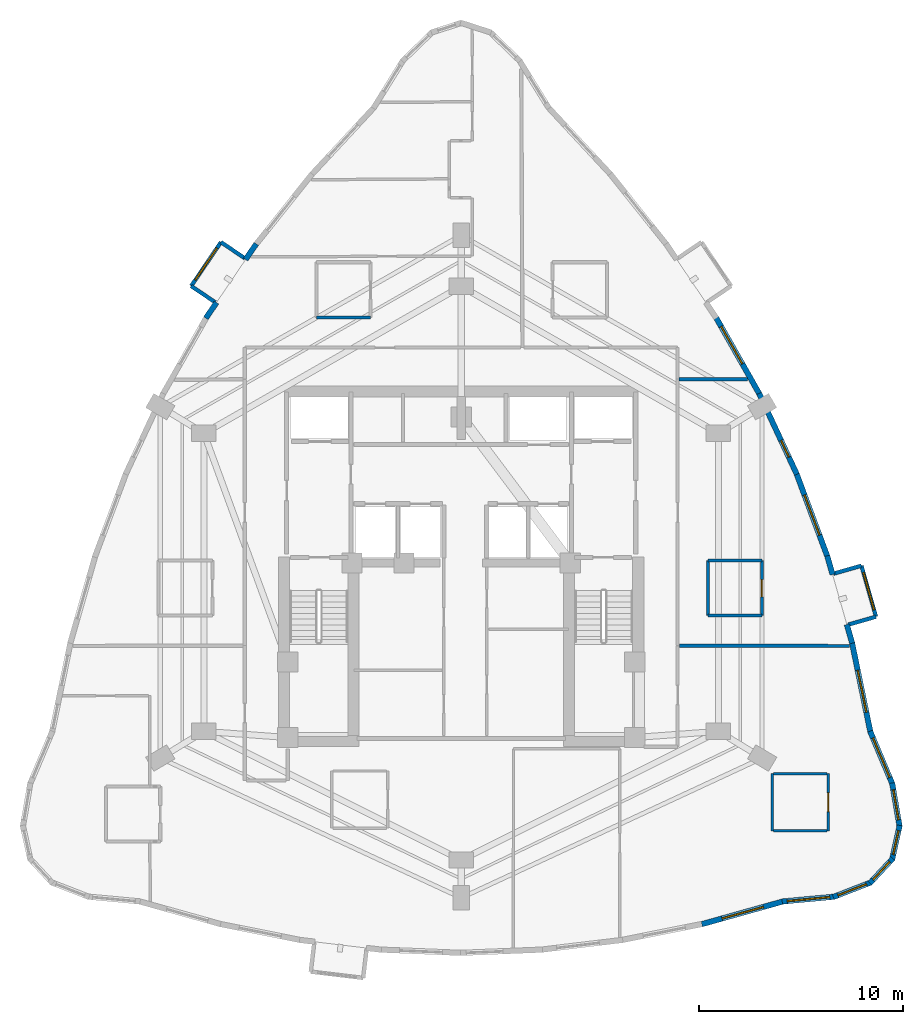
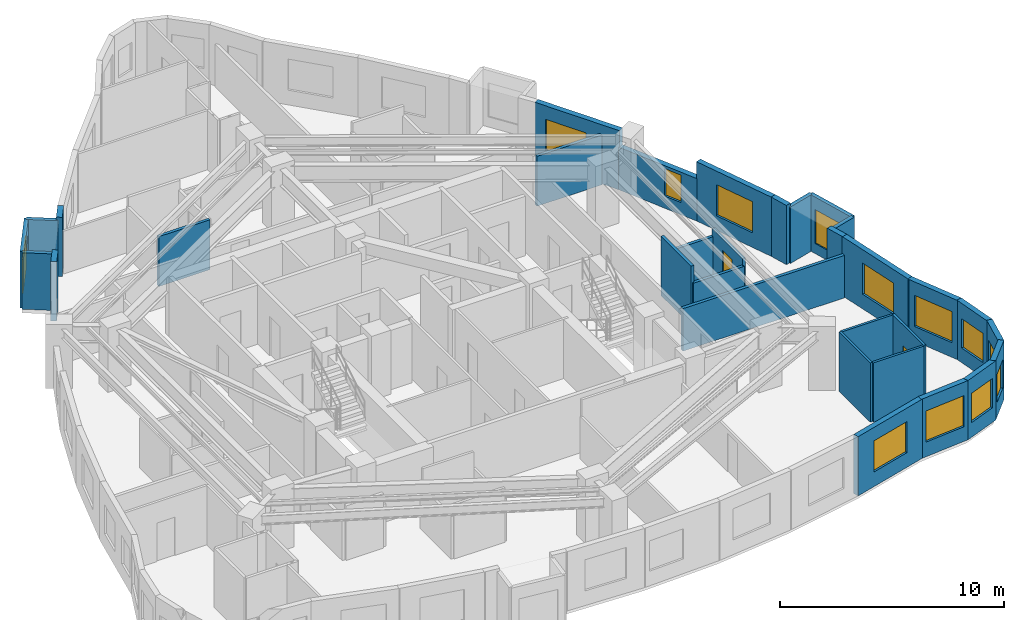
# One storey, part 8 of 11: 32 walls, 13 windows, 2 doors, 15 openings.
"""IFC4 building model written with IfcOpenShell, lengths in metres."""

from ifc_helpers import new_model, si_unit, direction, frame, frame_2d, origin, place, context, subcontext, project, spatial, rectangle, extrude, material, layer, layer_set, type_object, element, fill, save


model = new_model("IFC4")

# Units and contexts
model_context = context("Model", 3, precision=1e-05, world=origin(), true_north=direction((0.0, 1.0)))
body_context = subcontext(model_context, "Body", "Model", "MODEL_VIEW")
ifc_project = project(units=[si_unit("LENGTHUNIT", "METRE"), si_unit("AREAUNIT", "SQUARE_METRE"), si_unit("VOLUMEUNIT", "CUBIC_METRE"), si_unit("PLANEANGLEUNIT", "RADIAN"), si_unit("MASSUNIT", "GRAM", prefix="KILO")], contexts=[model_context])

# Site, building, storey
site_placement = place(None, origin())
site = spatial("IfcSite", under=ifc_project, at=site_placement, CompositionType="ELEMENT")
building_placement = place(site_placement, origin())
building = spatial("IfcBuilding", under=site, at=building_placement, Name="Miruveldt Soraemaru", CompositionType="ELEMENT")
storey_placement = place(building_placement, frame((0.0, 0.0, 152.89990234375)))
storey = spatial("IfcBuildingStorey", under=building, at=storey_placement, Name="L42", CompositionType="ELEMENT", Elevation=152.89990234375)

# Walls
ifc_material_1 = material(Name="White powder-coated aluminium EN AW-6060 T6", Category="aluminium")
ifc_layer_1 = layer(ifc_material_1, 0.18994140625, Name="White powder-coated aluminium EN AW-6060 T6", Category="aluminium")
ifc_layer_set_1 = layer_set([ifc_layer_1], Name="White powder-coated aluminium EN AW-6060 T6")
wall_type_1 = type_object("IfcWallType", Name="WALL-BAY-ALU190", PredefinedType="SOLIDWALL", material=ifc_layer_set_1)
wall_1_placement = place(storey_placement, frame((33.4111328125, 58.968505859375, 0.0), z_axis=(0.0, 0.0, 1.0), x_axis=(-0.82794178844, 0.560814046681, 0.0)))
element("IfcWall", 1, at=wall_1_placement, inside=storey, type_object=wall_type_1, Name="L42 Bay Window Side Cheek 4L", PredefinedType="SOLIDWALL", context=body_context, shape_type="SweptSolid", body=[
    extrude(rectangle(XDim=1.4248046875, YDim=0.18994140625, at=frame_2d((0.71240234375, 0.0))), origin(), (0.0, 0.0, 1.0), 3.085205078125),
])
wall_2_placement = place(storey_placement, frame((30.773193359375, 57.614990234375, 0.0), z_axis=(0.0, 0.0, 1.0), x_axis=(0.827995667279, -0.560734495966, 0.0)))
element("IfcWall", 2, at=wall_2_placement, inside=storey, type_object=wall_type_1, Name="L42 Bay Window Side Cheek 4R", PredefinedType="SOLIDWALL", context=body_context, shape_type="SweptSolid", body=[
    extrude(rectangle(XDim=1.425048828125, YDim=0.18994140625, at=frame_2d((0.71240234375, 0.0))), origin(), (0.0, 0.0, 1.0), 3.085205078125),
])

# Wall, opening, window
wall_3_placement = place(storey_placement, frame((32.2314453125, 59.767578125, 0.0), z_axis=(0.0, 0.0, 1.0), x_axis=(-0.560860602504, -0.827910251512, 0.0)))
wall_3 = element("IfcWall", 3, at=wall_3_placement, inside=storey, type_object=wall_type_1, Name="L42 Bay Window Front Frame 4", PredefinedType="SOLIDWALL", context=body_context, shape_type="SweptSolid", body=[
    extrude(rectangle(XDim=2.60009765625, YDim=0.18994140625, at=frame_2d((1.300048828125, 0.0))), origin(), (0.0, 0.0, 1.0), 3.085205078125),
])
opening_1_placement = place(wall_3_placement, frame((0.35009765625, 0.0, 0.550048828125)))
opening_1 = element("IfcOpeningElement", 4, at=opening_1_placement, cuts=wall_3, Name="Opening WN-6", PredefinedType="OPENING", context=body_context, shape_type="SweptSolid", body=[
    extrude(rectangle(XDim=1.89990234375, YDim=1.85009765625, at=frame_2d((0.949951171875, 0.925048828125))), frame((0.0, 0.10498046875, 0.0), z_axis=(0.0, -1.0, 0.0), x_axis=(1.0, 0.0, 0.0)), (0.0, 0.0, 1.0), 0.2099609375),
])
ifc_material_2 = material(Name="Triple low-e insulated glazing", Category="glass")
window_type_1 = type_object("IfcWindowType", Name="WIN-BAYW-1900x1850", PartitioningType="SINGLE_PANEL", PredefinedType="WINDOW", material=ifc_material_2)
window_1_placement = place(opening_1_placement, origin())
window_1 = element("IfcWindow", 5, at=window_1_placement, inside=storey, type_object=window_type_1, Name="L42 Projecting Bay Window 4", OverallHeight=1.85009765625, OverallWidth=1.89990234375, PartitioningType="SINGLE_PANEL", PredefinedType="WINDOW", context=body_context, shape_type="SweptSolid", body=[
    extrude(rectangle(XDim=1.89990234375, YDim=1.85009765625, at=frame_2d((0.949951171875, 0.925048828125))), frame((0.0, 0.030029296875, 0.0), z_axis=(0.0, -1.0, 0.0), x_axis=(1.0, 0.0, 0.0)), (0.0, 0.0, 1.0), 0.06005859375),
])
fill(opening_1, window_1)

# Walls
wall_4_placement = place(storey_placement, frame((62.950927734375, 41.025634765625, 0.0), z_axis=(0.0, 0.0, 1.0), x_axis=(0.961452801096, 0.274970018845, 0.0)))
element("IfcWall", 6, at=wall_4_placement, inside=storey, type_object=wall_type_1, Name="L42 Bay Window Side Cheek 2L", PredefinedType="SOLIDWALL", context=body_context, shape_type="SweptSolid", body=[
    extrude(rectangle(XDim=1.425048828125, YDim=0.18994140625, at=frame_2d((0.71240234375, 0.0))), origin(), (0.0, 0.0, 1.0), 3.085205078125),
])
wall_5_placement = place(storey_placement, frame((63.60595703125, 43.917236328125, 0.0), z_axis=(0.0, 0.0, 1.0), x_axis=(-0.961439844578, -0.275015318223, 0.0)))
element("IfcWall", 7, at=wall_5_placement, inside=storey, type_object=wall_type_1, Name="L42 Bay Window Side Cheek 2R", PredefinedType="SOLIDWALL", context=body_context, shape_type="SweptSolid", body=[
    extrude(rectangle(XDim=1.4248046875, YDim=0.18994140625, at=frame_2d((0.71240234375, 0.0))), origin(), (0.0, 0.0, 1.0), 3.085205078125),
])

# Wall, opening, window
wall_6_placement = place(storey_placement, frame((64.321044921875, 41.41748046875, 0.0), z_axis=(0.0, 0.0, 1.0), x_axis=(-0.275031158597, 0.961435313373, 0.0)))
wall_6 = element("IfcWall", 8, at=wall_6_placement, inside=storey, type_object=wall_type_1, Name="L42 Bay Window Front Frame 2", PredefinedType="SOLIDWALL", context=body_context, shape_type="SweptSolid", body=[
    extrude(rectangle(XDim=2.60009765625, YDim=0.18994140625, at=frame_2d((1.300048828125, 0.0))), origin(), (0.0, 0.0, 1.0), 3.085205078125),
])
opening_2_placement = place(wall_6_placement, frame((0.35009765625, 0.0, 0.550048828125)))
opening_2 = element("IfcOpeningElement", 9, at=opening_2_placement, cuts=wall_6, Name="Opening WN-6", PredefinedType="OPENING", context=body_context, shape_type="SweptSolid", body=[
    extrude(rectangle(XDim=1.89990234375, YDim=1.85009765625, at=frame_2d((0.949951171875, 0.925048828125))), frame((0.0, 0.10498046875, 0.0), z_axis=(0.0, -1.0, 0.0), x_axis=(1.0, 0.0, 0.0)), (0.0, 0.0, 1.0), 0.2099609375),
])
window_2_placement = place(opening_2_placement, origin())
window_2 = element("IfcWindow", 10, at=window_2_placement, inside=storey, type_object=window_type_1, Name="L42 Projecting Bay Window 2", OverallHeight=1.85009765625, OverallWidth=1.89990234375, PartitioningType="SINGLE_PANEL", PredefinedType="WINDOW", context=body_context, shape_type="SweptSolid", body=[
    extrude(rectangle(XDim=1.89990234375, YDim=1.85009765625, at=frame_2d((0.949951171875, 0.925048828125))), frame((0.0, 0.030029296875, 0.0), z_axis=(0.0, -1.0, 0.0), x_axis=(1.0, 0.0, 0.0)), (0.0, 0.0, 1.0), 0.06005859375),
])
fill(opening_2, window_2)

# Walls
ifc_material_3 = material(Name="Precast concrete C45/55 (45 MPa)", Category="concrete")
ifc_layer_2 = layer(ifc_material_3, 0.27001953125, Name="Precast concrete C45/55 (45 MPa)", Category="concrete")
ifc_layer_set_2 = layer_set([ifc_layer_2], Name="Precast concrete C45/55 (45 MPa)")
wall_type_2 = type_object("IfcWallType", Name="WALL-EXT-PC270", PredefinedType="SOLIDWALL", material=ifc_layer_set_2)
for number, where, z_axis, x_axis, name in (
    (11, (33.96142578125, 59.682861328125, 0.0), (0.0, 0.0, 1.0), (-0.56074365682, -0.8279894633, 0.0), "L42 Precast Pier Wall 9A"),
    (12, (32.015380859375, 56.809814453125, 0.0), (0.0, 0.0, 1.0), (-0.56074365682, -0.8279894633, 0.0), "L42 Precast Pier Wall 9B"),
):
    element("IfcWall", number, at=place(storey_placement, frame(where, z_axis=z_axis, x_axis=x_axis)), inside=storey, type_object=wall_type_2, Name=name, PredefinedType="SOLIDWALL", context=body_context, shape_type="SweptSolid", body=[
        extrude(rectangle(XDim=0.929931640625, YDim=0.27001953125, at=frame_2d((0.46484375, 0.0))), origin(), (0.0, 0.0, 1.0), 3.235107421875),
    ])

# Wall, opening, window
wall_7_placement = place(storey_placement, frame((55.78564453125, 26.356689453125, 0.0), z_axis=(0.0, 0.0, 1.0), x_axis=(0.962978032601, 0.269579874485, 0.0)))
wall_7 = element("IfcWall", 13, at=wall_7_placement, inside=storey, type_object=wall_type_2, Name="L42 Precast Concrete Facade Wall 28", PredefinedType="SOLIDWALL", context=body_context, shape_type="SweptSolid", body=[
    extrude(rectangle(XDim=4.161376953125, YDim=0.27001953125, at=frame_2d((2.08056640625, 0.0))), origin(), (0.0, 0.0, 1.0), 3.235107421875),
])
opening_3_placement = place(wall_7_placement, frame((1.030029296875, 0.0, 0.800048828125)))
opening_3 = element("IfcOpeningElement", 14, at=opening_3_placement, cuts=wall_7, Name="Opening WN-1", PredefinedType="OPENING", context=body_context, shape_type="SweptSolid", body=[
    extrude(rectangle(XDim=2.10009765625, YDim=1.699951171875, at=frame_2d((1.050048828125, 0.85009765625))), frame((0.0, 0.14501953125, 0.0), z_axis=(0.0, -1.0, 0.0), x_axis=(1.0, 0.0, 0.0)), (0.0, 0.0, 1.0), 0.2900390625),
])
window_type_2 = type_object("IfcWindowType", Name="WIN-PUNCH-2100x1700", PartitioningType="SINGLE_PANEL", PredefinedType="WINDOW", material=ifc_material_2)
window_3_placement = place(opening_3_placement, origin())
window_3 = element("IfcWindow", 15, at=window_3_placement, inside=storey, type_object=window_type_2, Name="L42 Punched Triple-Glazed Window 28.1", OverallHeight=1.699951171875, OverallWidth=2.10009765625, PartitioningType="SINGLE_PANEL", PredefinedType="WINDOW", context=body_context, shape_type="SweptSolid", body=[
    extrude(rectangle(XDim=2.10009765625, YDim=1.699951171875, at=frame_2d((1.050048828125, 0.85009765625))), frame((0.0, 0.030029296875, 0.0), z_axis=(0.0, -1.0, 0.0), x_axis=(1.0, 0.0, 0.0)), (0.0, 0.0, 1.0), 0.06005859375),
])
fill(opening_3, window_3)

wall_8_placement = place(storey_placement, frame((59.724365234375, 27.466064453125, 0.0), z_axis=(0.0, 0.0, 1.0), x_axis=(0.995768944137, 0.091892382129, 0.0)))
wall_8 = element("IfcWall", 16, at=wall_8_placement, inside=storey, type_object=wall_type_2, Name="L42 Precast Concrete Facade Wall 29", PredefinedType="SOLIDWALL", context=body_context, shape_type="SweptSolid", body=[
    extrude(rectangle(XDim=2.579833984375, YDim=0.27001953125, at=frame_2d((1.2900390625, 0.0))), origin(), (0.0, 0.0, 1.0), 3.235107421875),
])
opening_4_placement = place(wall_8_placement, frame((0.239990234375, 0.0, 0.800048828125)))
opening_4 = element("IfcOpeningElement", 17, at=opening_4_placement, cuts=wall_8, Name="Opening WN-1", PredefinedType="OPENING", context=body_context, shape_type="SweptSolid", body=[
    extrude(rectangle(XDim=2.10009765625, YDim=1.699951171875, at=frame_2d((1.050048828125, 0.85009765625))), frame((0.0, 0.14501953125, 0.0), z_axis=(0.0, -1.0, 0.0), x_axis=(1.0, 0.0, 0.0)), (0.0, 0.0, 1.0), 0.2900390625),
])
window_4_placement = place(opening_4_placement, origin())
window_4 = element("IfcWindow", 18, at=window_4_placement, inside=storey, type_object=window_type_2, Name="L42 Punched Triple-Glazed Window 29.1", OverallHeight=1.699951171875, OverallWidth=2.10009765625, PartitioningType="SINGLE_PANEL", PredefinedType="WINDOW", context=body_context, shape_type="SweptSolid", body=[
    extrude(rectangle(XDim=2.10009765625, YDim=1.699951171875, at=frame_2d((1.050048828125, 0.85009765625))), frame((0.0, 0.030029296875, 0.0), z_axis=(0.0, -1.0, 0.0), x_axis=(1.0, 0.0, 0.0)), (0.0, 0.0, 1.0), 0.06005859375),
])
fill(opening_4, window_4)

wall_9_placement = place(storey_placement, frame((62.2255859375, 27.687255859375, 0.0), z_axis=(0.0, 0.0, 1.0), x_axis=(0.93226989237, 0.361763524668, 0.0)))
wall_9 = element("IfcWall", 19, at=wall_9_placement, inside=storey, type_object=wall_type_2, Name="L42 Precast Concrete Facade Wall 30", PredefinedType="SOLIDWALL", context=body_context, shape_type="SweptSolid", body=[
    extrude(rectangle(XDim=1.98486328125, YDim=0.27001953125, at=frame_2d((0.992431640625, 0.0))), origin(), (0.0, 0.0, 1.0), 3.235107421875),
])
opening_5_placement = place(wall_9_placement, frame((0.241943359375, 0.0, 0.800048828125)))
opening_5 = element("IfcOpeningElement", 20, at=opening_5_placement, cuts=wall_9, Name="Opening WN-3", PredefinedType="OPENING", context=body_context, shape_type="SweptSolid", body=[
    extrude(rectangle(XDim=1.5, YDim=1.60009765625, at=frame_2d((0.75, 0.800048828125))), frame((0.0, 0.14501953125, 0.0), z_axis=(0.0, -1.0, 0.0), x_axis=(1.0, 0.0, 0.0)), (0.0, 0.0, 1.0), 0.2900390625),
])
window_type_3 = type_object("IfcWindowType", Name="WIN-PUNCH-1500x1600", PartitioningType="SINGLE_PANEL", PredefinedType="WINDOW", material=ifc_material_2)
window_5_placement = place(opening_5_placement, origin())
window_5 = element("IfcWindow", 21, at=window_5_placement, inside=storey, type_object=window_type_3, Name="L42 Punched Triple-Glazed Window 30.1", OverallHeight=1.60009765625, OverallWidth=1.5, PartitioningType="SINGLE_PANEL", PredefinedType="WINDOW", context=body_context, shape_type="SweptSolid", body=[
    extrude(rectangle(XDim=1.5, YDim=1.60009765625, at=frame_2d((0.75, 0.800048828125))), frame((0.0, 0.030029296875, 0.0), z_axis=(0.0, -1.0, 0.0), x_axis=(1.0, 0.0, 0.0)), (0.0, 0.0, 1.0), 0.06005859375),
])
fill(opening_5, window_5)

wall_10_placement = place(storey_placement, frame((64.01953125, 28.366943359375, 0.0), z_axis=(0.0, 0.0, 1.0), x_axis=(0.680189136537, 0.733036655657, 0.0)))
wall_10 = element("IfcWall", 22, at=wall_10_placement, inside=storey, type_object=wall_type_2, Name="L42 Precast Concrete Facade Wall 31", PredefinedType="SOLIDWALL", context=body_context, shape_type="SweptSolid", body=[
    extrude(rectangle(XDim=1.64453125, YDim=0.27001953125, at=frame_2d((0.822265625, 0.0))), origin(), (0.0, 0.0, 1.0), 3.235107421875),
])
opening_6_placement = place(wall_10_placement, frame((0.222900390625, 0.0, 0.780029296875)))
opening_6 = element("IfcOpeningElement", 23, at=opening_6_placement, cuts=wall_10, Name="Opening WN-4", PredefinedType="OPENING", context=body_context, shape_type="SweptSolid", body=[
    extrude(rectangle(XDim=1.199951171875, YDim=1.550048828125, at=frame_2d((0.60009765625, 0.77490234375))), frame((0.0, 0.14501953125, 0.0), z_axis=(0.0, -1.0, 0.0), x_axis=(1.0, 0.0, 0.0)), (0.0, 0.0, 1.0), 0.2900390625),
])
window_type_4 = type_object("IfcWindowType", Name="WIN-PUNCH-1200x1550", PartitioningType="SINGLE_PANEL", PredefinedType="WINDOW", material=ifc_material_2)
window_6_placement = place(opening_6_placement, origin())
window_6 = element("IfcWindow", 24, at=window_6_placement, inside=storey, type_object=window_type_4, Name="L42 Punched Triple-Glazed Window 31.1", OverallHeight=1.550048828125, OverallWidth=1.199951171875, PartitioningType="SINGLE_PANEL", PredefinedType="WINDOW", context=body_context, shape_type="SweptSolid", body=[
    extrude(rectangle(XDim=1.199951171875, YDim=1.550048828125, at=frame_2d((0.60009765625, 0.77490234375))), frame((0.0, 0.030029296875, 0.0), z_axis=(0.0, -1.0, 0.0), x_axis=(1.0, 0.0, 0.0)), (0.0, 0.0, 1.0), 0.06005859375),
])
fill(opening_6, window_6)

wall_11_placement = place(storey_placement, frame((65.106689453125, 29.5126953125, 0.0), z_axis=(0.0, 0.0, 1.0), x_axis=(0.215836362182, 0.976429549307, 0.0)))
wall_11 = element("IfcWall", 25, at=wall_11_placement, inside=storey, type_object=wall_type_2, Name="L42 Precast Concrete Facade Wall 32", PredefinedType="SOLIDWALL", context=body_context, shape_type="SweptSolid", body=[
    extrude(rectangle(XDim=1.72509765625, YDim=0.27001953125, at=frame_2d((0.862548828125, 0.0))), origin(), (0.0, 0.0, 1.0), 3.235107421875),
])
opening_7_placement = place(wall_11_placement, frame((0.261962890625, 0.0, 0.780029296875)))
opening_7 = element("IfcOpeningElement", 26, at=opening_7_placement, cuts=wall_11, Name="Opening WN-4", PredefinedType="OPENING", context=body_context, shape_type="SweptSolid", body=[
    extrude(rectangle(XDim=1.199951171875, YDim=1.550048828125, at=frame_2d((0.60009765625, 0.77490234375))), frame((0.0, 0.14501953125, 0.0), z_axis=(0.0, -1.0, 0.0), x_axis=(1.0, 0.0, 0.0)), (0.0, 0.0, 1.0), 0.2900390625),
])
window_7_placement = place(opening_7_placement, origin())
window_7 = element("IfcWindow", 27, at=window_7_placement, inside=storey, type_object=window_type_4, Name="L42 Punched Triple-Glazed Window 32.1", OverallHeight=1.550048828125, OverallWidth=1.199951171875, PartitioningType="SINGLE_PANEL", PredefinedType="WINDOW", context=body_context, shape_type="SweptSolid", body=[
    extrude(rectangle(XDim=1.199951171875, YDim=1.550048828125, at=frame_2d((0.60009765625, 0.77490234375))), frame((0.0, 0.030029296875, 0.0), z_axis=(0.0, -1.0, 0.0), x_axis=(1.0, 0.0, 0.0)), (0.0, 0.0, 1.0), 0.06005859375),
])
fill(opening_7, window_7)

wall_12_placement = place(storey_placement, frame((65.477294921875, 31.12841796875, 0.0), z_axis=(0.0, 0.0, 1.0), x_axis=(-0.169377605591, 0.985551229883, 0.0)))
wall_12 = element("IfcWall", 28, at=wall_12_placement, inside=storey, type_object=wall_type_2, Name="L42 Precast Concrete Facade Wall 33", PredefinedType="SOLIDWALL", context=body_context, shape_type="SweptSolid", body=[
    extrude(rectangle(XDim=2.177978515625, YDim=0.27001953125, at=frame_2d((1.0888671875, 0.0))), origin(), (0.0, 0.0, 1.0), 3.235107421875),
])
opening_8_placement = place(wall_12_placement, frame((0.339111328125, 0.0, 0.800048828125)))
opening_8 = element("IfcOpeningElement", 29, at=opening_8_placement, cuts=wall_12, Name="Opening WN-3", PredefinedType="OPENING", context=body_context, shape_type="SweptSolid", body=[
    extrude(rectangle(XDim=1.5, YDim=1.60009765625, at=frame_2d((0.75, 0.800048828125))), frame((0.0, 0.14501953125, 0.0), z_axis=(0.0, -1.0, 0.0), x_axis=(1.0, 0.0, 0.0)), (0.0, 0.0, 1.0), 0.2900390625),
])
window_8_placement = place(opening_8_placement, origin())
window_8 = element("IfcWindow", 30, at=window_8_placement, inside=storey, type_object=window_type_3, Name="L42 Punched Triple-Glazed Window 33.1", OverallHeight=1.60009765625, OverallWidth=1.5, PartitioningType="SINGLE_PANEL", PredefinedType="WINDOW", context=body_context, shape_type="SweptSolid", body=[
    extrude(rectangle(XDim=1.5, YDim=1.60009765625, at=frame_2d((0.75, 0.800048828125))), frame((0.0, 0.030029296875, 0.0), z_axis=(0.0, -1.0, 0.0), x_axis=(1.0, 0.0, 0.0)), (0.0, 0.0, 1.0), 0.06005859375),
])
fill(opening_8, window_8)

wall_13_placement = place(storey_placement, frame((65.1279296875, 33.208251953125, 0.0), z_axis=(0.0, 0.0, 1.0), x_axis=(-0.388605388091, 0.921404282791, 0.0)))
wall_13 = element("IfcWall", 31, at=wall_13_placement, inside=storey, type_object=wall_type_2, Name="L42 Precast Concrete Facade Wall 34", PredefinedType="SOLIDWALL", context=body_context, shape_type="SweptSolid", body=[
    extrude(rectangle(XDim=2.825927734375, YDim=0.27001953125, at=frame_2d((1.4130859375, 0.0))), origin(), (0.0, 0.0, 1.0), 3.235107421875),
])
opening_9_placement = place(wall_13_placement, frame((0.363037109375, 0.0, 0.800048828125)))
opening_9 = element("IfcOpeningElement", 32, at=opening_9_placement, cuts=wall_13, Name="Opening WN-1", PredefinedType="OPENING", context=body_context, shape_type="SweptSolid", body=[
    extrude(rectangle(XDim=2.10009765625, YDim=1.699951171875, at=frame_2d((1.050048828125, 0.85009765625))), frame((0.0, 0.14501953125, 0.0), z_axis=(0.0, -1.0, 0.0), x_axis=(1.0, 0.0, 0.0)), (0.0, 0.0, 1.0), 0.2900390625),
])
window_9_placement = place(opening_9_placement, origin())
window_9 = element("IfcWindow", 33, at=window_9_placement, inside=storey, type_object=window_type_2, Name="L42 Punched Triple-Glazed Window 34.1", OverallHeight=1.699951171875, OverallWidth=2.10009765625, PartitioningType="SINGLE_PANEL", PredefinedType="WINDOW", context=body_context, shape_type="SweptSolid", body=[
    extrude(rectangle(XDim=2.10009765625, YDim=1.699951171875, at=frame_2d((1.050048828125, 0.85009765625))), frame((0.0, 0.030029296875, 0.0), z_axis=(0.0, -1.0, 0.0), x_axis=(1.0, 0.0, 0.0)), (0.0, 0.0, 1.0), 0.06005859375),
])
fill(opening_9, window_9)

wall_14_placement = place(storey_placement, frame((64.05029296875, 35.74560546875, 0.0), z_axis=(0.0, 0.0, 1.0), x_axis=(-0.201580000439, 0.979472053416, 0.0)))
wall_14 = element("IfcWall", 34, at=wall_14_placement, inside=storey, type_object=wall_type_2, Name="L42 Precast Concrete Facade Wall 35", PredefinedType="SOLIDWALL", context=body_context, shape_type="SweptSolid", body=[
    extrude(rectangle(XDim=4.534423828125, YDim=0.27001953125, at=frame_2d((2.26708984375, 0.0))), origin(), (0.0, 0.0, 1.0), 3.235107421875),
])
opening_10_placement = place(wall_14_placement, frame((1.010009765625, 0.0, 0.800048828125)))
opening_10 = element("IfcOpeningElement", 35, at=opening_10_placement, cuts=wall_14, Name="Opening WN-1", PredefinedType="OPENING", context=body_context, shape_type="SweptSolid", body=[
    extrude(rectangle(XDim=2.10009765625, YDim=1.699951171875, at=frame_2d((1.050048828125, 0.85009765625))), frame((0.0, 0.14501953125, 0.0), z_axis=(0.0, -1.0, 0.0), x_axis=(1.0, 0.0, 0.0)), (0.0, 0.0, 1.0), 0.2900390625),
])
window_10_placement = place(opening_10_placement, origin())
window_10 = element("IfcWindow", 36, at=window_10_placement, inside=storey, type_object=window_type_2, Name="L42 Punched Triple-Glazed Window 35.1", OverallHeight=1.699951171875, OverallWidth=2.10009765625, PartitioningType="SINGLE_PANEL", PredefinedType="WINDOW", context=body_context, shape_type="SweptSolid", body=[
    extrude(rectangle(XDim=2.10009765625, YDim=1.699951171875, at=frame_2d((1.050048828125, 0.85009765625))), frame((0.0, 0.030029296875, 0.0), z_axis=(0.0, -1.0, 0.0), x_axis=(1.0, 0.0, 0.0)), (0.0, 0.0, 1.0), 0.06005859375),
])
fill(opening_10, window_10)

# Walls
for number, where, z_axis, x_axis, name in (
    (37, (63.153076171875, 40.118896484375, 0.0), (0.0, 0.0, 1.0), (-0.274923221722, 0.961466183575, 0.0), "L42 Precast Pier Wall 36A"),
    (38, (62.19140625, 43.4814453125, 0.0), (0.0, 0.0, 1.0), (-0.274923221722, 0.961466183575, 0.0), "L42 Precast Pier Wall 36B"),
):
    element("IfcWall", number, at=place(storey_placement, frame(where, z_axis=z_axis, x_axis=x_axis)), inside=storey, type_object=wall_type_2, Name=name, PredefinedType="SOLIDWALL", context=body_context, shape_type="SweptSolid", body=[
        extrude(rectangle(XDim=0.957275390625, YDim=0.27001953125, at=frame_2d((0.478515625, 0.0))), origin(), (0.0, 0.0, 1.0), 3.235107421875),
    ])

# Wall, opening, window
wall_15_placement = place(storey_placement, frame((61.949951171875, 44.335205078125, 0.0), z_axis=(0.0, 0.0, 1.0), x_axis=(-0.348994381094, 0.937124816641, 0.0)))
wall_15 = element("IfcWall", 39, at=wall_15_placement, inside=storey, type_object=wall_type_2, Name="L42 Precast Concrete Facade Wall 37", PredefinedType="SOLIDWALL", context=body_context, shape_type="SweptSolid", body=[
    extrude(rectangle(XDim=4.400146484375, YDim=0.27001953125, at=frame_2d((2.2001953125, 0.0))), origin(), (0.0, 0.0, 1.0), 3.235107421875),
])
opening_11_placement = place(wall_15_placement, frame((1.14990234375, 0.0, 0.800048828125)))
opening_11 = element("IfcOpeningElement", 40, at=opening_11_placement, cuts=wall_15, Name="Opening WN-1", PredefinedType="OPENING", context=body_context, shape_type="SweptSolid", body=[
    extrude(rectangle(XDim=2.10009765625, YDim=1.699951171875, at=frame_2d((1.050048828125, 0.85009765625))), frame((0.0, 0.14501953125, 0.0), z_axis=(0.0, -1.0, 0.0), x_axis=(1.0, 0.0, 0.0)), (0.0, 0.0, 1.0), 0.2900390625),
])
window_11_placement = place(opening_11_placement, origin())
window_11 = element("IfcWindow", 41, at=window_11_placement, inside=storey, type_object=window_type_2, Name="L42 Punched Triple-Glazed Window 37.1", OverallHeight=1.699951171875, OverallWidth=2.10009765625, PartitioningType="SINGLE_PANEL", PredefinedType="WINDOW", context=body_context, shape_type="SweptSolid", body=[
    extrude(rectangle(XDim=2.10009765625, YDim=1.699951171875, at=frame_2d((1.050048828125, 0.85009765625))), frame((0.0, 0.030029296875, 0.0), z_axis=(0.0, -1.0, 0.0), x_axis=(1.0, 0.0, 0.0)), (0.0, 0.0, 1.0), 0.06005859375),
])
fill(opening_11, window_11)

wall_16_placement = place(storey_placement, frame((60.441162109375, 48.394287109375, 0.0), z_axis=(0.0, 0.0, 1.0), x_axis=(-0.422319922238, 0.906446845259, 0.0)))
wall_16 = element("IfcWall", 42, at=wall_16_placement, inside=storey, type_object=wall_type_2, Name="L42 Precast Concrete Facade Wall 38", PredefinedType="SOLIDWALL", context=body_context, shape_type="SweptSolid", body=[
    extrude(rectangle(XDim=4.372802734375, YDim=0.27001953125, at=frame_2d((2.1865234375, 0.0))), origin(), (0.0, 0.0, 1.0), 2.322998046875),
])
opening_12_placement = place(wall_16_placement, frame((0.925048828125, 0.0, 0.6630859375)))
opening_12 = element("IfcOpeningElement", 43, at=opening_12_placement, cuts=wall_16, Name="Opening WN-7", PredefinedType="OPENING", context=body_context, shape_type="SweptSolid", body=[
    extrude(rectangle(XDim=0.89990234375, YDim=1.5, at=frame_2d((0.449951171875, 0.75))), frame((0.0, 0.14501953125, 0.0), z_axis=(0.0, -1.0, 0.0), x_axis=(1.0, 0.0, 0.0)), (0.0, 0.0, 1.0), 0.2900390625),
])
window_type_5 = type_object("IfcWindowType", Name="WIN-PUNCH-900x1500", PartitioningType="SINGLE_PANEL", PredefinedType="WINDOW", material=ifc_material_2)
window_12_placement = place(opening_12_placement, origin())
window_12 = element("IfcWindow", 44, at=window_12_placement, inside=storey, type_object=window_type_5, Name="L42 Punched Triple-Glazed Window 38.1", OverallHeight=1.5, OverallWidth=0.89990234375, PartitioningType="SINGLE_PANEL", PredefinedType="WINDOW", context=body_context, shape_type="SweptSolid", body=[
    extrude(rectangle(XDim=0.89990234375, YDim=1.5, at=frame_2d((0.449951171875, 0.75))), frame((0.0, 0.030029296875, 0.0), z_axis=(0.0, -1.0, 0.0), x_axis=(1.0, 0.0, 0.0)), (0.0, 0.0, 1.0), 0.06005859375),
])
fill(opening_12, window_12)

wall_17_placement = place(storey_placement, frame((58.626708984375, 52.2958984375, 0.0), z_axis=(0.0, 0.0, 1.0), x_axis=(-0.493412614859, 0.869795373348, 0.0)))
wall_17 = element("IfcWall", 45, at=wall_17_placement, inside=storey, type_object=wall_type_2, Name="L42 Precast Concrete Facade Wall 39", PredefinedType="SOLIDWALL", context=body_context, shape_type="SweptSolid", body=[
    extrude(rectangle(XDim=4.37255859375, YDim=0.27001953125, at=frame_2d((2.186279296875, 0.0))), origin(), (0.0, 0.0, 1.0), 3.235107421875),
])
opening_13_placement = place(wall_17_placement, frame((1.73193359375, 0.0, 0.800048828125)))
opening_13 = element("IfcOpeningElement", 46, at=opening_13_placement, cuts=wall_17, Name="Opening WN-1", PredefinedType="OPENING", context=body_context, shape_type="SweptSolid", body=[
    extrude(rectangle(XDim=2.10009765625, YDim=1.699951171875, at=frame_2d((1.050048828125, 0.85009765625))), frame((0.0, 0.14501953125, 0.0), z_axis=(0.0, -1.0, 0.0), x_axis=(1.0, 0.0, 0.0)), (0.0, 0.0, 1.0), 0.2900390625),
])
window_13_placement = place(opening_13_placement, origin())
window_13 = element("IfcWindow", 47, at=window_13_placement, inside=storey, type_object=window_type_2, Name="L42 Punched Triple-Glazed Window 39.1", OverallHeight=1.699951171875, OverallWidth=2.10009765625, PartitioningType="SINGLE_PANEL", PredefinedType="WINDOW", context=body_context, shape_type="SweptSolid", body=[
    extrude(rectangle(XDim=2.10009765625, YDim=1.699951171875, at=frame_2d((1.050048828125, 0.85009765625))), frame((0.0, 0.030029296875, 0.0), z_axis=(0.0, -1.0, 0.0), x_axis=(1.0, 0.0, 0.0)), (0.0, 0.0, 1.0), 0.06005859375),
])
fill(opening_13, window_13)

# Wall, opening, door
ifc_material_4 = material(Name="Gypsum plasterboard lining", Category="gypsum")
ifc_layer_3 = layer(ifc_material_4, 0.1201171875, Name="Gypsum plasterboard lining", Category="gypsum")
ifc_layer_set_3 = layer_set([ifc_layer_3], Name="Gypsum plasterboard lining")
wall_type_3 = type_object("IfcWallType", Name="WALL-INT-P120", PredefinedType="PARTITIONING", material=ifc_layer_set_3)
wall_18_placement = place(storey_placement, frame((61.97998046875, 30.929931640625, 0.0), z_axis=(0.0, 0.0, 1.0), x_axis=(0.0, 1.0, 0.0)))
wall_18 = element("IfcWall", 48, at=wall_18_placement, inside=storey, type_object=wall_type_3, Name="L42 Partition Wall 55", PredefinedType="PARTITIONING", context=body_context, shape_type="SweptSolid", body=[
    extrude(rectangle(XDim=2.800048828125, YDim=0.1201171875, at=frame_2d((1.39990234375, 0.0))), origin(), (0.0, 0.0, 1.0), 3.235107421875),
])
opening_14_placement = place(wall_18_placement, frame((0.93994140625, 0.0, 0.0)))
opening_14 = element("IfcOpeningElement", 49, at=opening_14_placement, cuts=wall_18, Name="Opening D3A", PredefinedType="OPENING", context=body_context, shape_type="SweptSolid", body=[
    extrude(rectangle(XDim=0.919921875, YDim=2.10009765625, at=frame_2d((0.4599609375, 1.050048828125))), frame((0.0, 0.070068359375, 0.0), z_axis=(0.0, -1.0, 0.0), x_axis=(1.0, 0.0, 0.0)), (0.0, 0.0, 1.0), 0.14013671875),
])
ifc_material_5 = material(Name="Anodised aluminium EN AW-6063 T6", Category="aluminium")
door_type_1 = type_object("IfcDoorType", Name="DOOR-INT-920", OperationType="NOTDEFINED", PredefinedType="DOOR", material=ifc_material_5)
door_1_placement = place(opening_14_placement, origin())
door_1 = element("IfcDoor", 50, at=door_1_placement, inside=storey, type_object=door_type_1, Name="L42 Unit 4206 KIT Door", OperationType="SINGLE_SWING_RIGHT", OverallHeight=2.10009765625, OverallWidth=0.919921875, PredefinedType="DOOR", context=body_context, shape_type="SweptSolid", body=[
    extrude(rectangle(XDim=0.919921875, YDim=2.10009765625, at=frame_2d((0.4599609375, 1.050048828125))), frame((0.0, 0.02490234375, 0.0), z_axis=(0.0, -1.0, 0.0), x_axis=(1.0, 0.0, 0.0)), (0.0, 0.0, 1.0), 0.050048828125),
])
fill(opening_14, door_1)

# Walls
wall_19_placement = place(storey_placement, frame((59.22998046875, 33.72998046875, 0.0), z_axis=(0.0, 0.0, 1.0), x_axis=(0.0, -1.0, 0.0)))
element("IfcWall", 51, at=wall_19_placement, inside=storey, type_object=wall_type_3, Name="L42 Partition Wall 57", PredefinedType="PARTITIONING", context=body_context, shape_type="SweptSolid", body=[
    extrude(rectangle(XDim=2.800048828125, YDim=0.1201171875, at=frame_2d((1.39990234375, 0.0))), origin(), (0.0, 0.0, 1.0), 3.235107421875),
])
for number, where, z_axis, x_axis, name in (
    (52, (61.919921875, 33.72998046875, 0.0), (0.0, 0.0, 1.0), (-1.0, 0.0, 0.0), "L42 Partition Wall 56"),
    (53, (59.2900390625, 30.929931640625, 0.0), (0.0, 0.0, 1.0), (1.0, 0.0, 0.0), "L42 Partition Wall 58"),
):
    element("IfcWall", number, at=place(storey_placement, frame(where, z_axis=z_axis, x_axis=x_axis)), inside=storey, type_object=wall_type_3, Name=name, PredefinedType="PARTITIONING", context=body_context, shape_type="SweptSolid", body=[
        extrude(rectangle(XDim=2.6298828125, YDim=0.1201171875, at=frame_2d((1.31494140625, 0.0))), origin(), (0.0, 0.0, 1.0), 3.235107421875),
    ])

# Wall, opening, door
ifc_layer_4 = layer(ifc_material_4, 0.14990234375, Name="Gypsum plasterboard lining", Category="gypsum")
ifc_layer_set_4 = layer_set([ifc_layer_4], Name="Gypsum plasterboard lining")
wall_type_4 = type_object("IfcWallType", Name="WALL-INT-PLUMB", PredefinedType="PLUMBINGWALL", material=ifc_layer_set_4)
wall_20_placement = place(storey_placement, frame((58.72998046875, 41.47998046875, 0.0), z_axis=(0.0, 0.0, 1.0), x_axis=(0.0, 1.0, 0.0)))
wall_20 = element("IfcWall", 54, at=wall_20_placement, inside=storey, type_object=wall_type_4, Name="L42 Partition Wall 37", PredefinedType="PLUMBINGWALL", context=body_context, shape_type="SweptSolid", body=[
    extrude(rectangle(XDim=2.699951171875, YDim=0.14990234375, at=frame_2d((1.35009765625, 0.0))), origin(), (0.0, 0.0, 1.0), 2.72314453125),
])
opening_15_placement = place(wall_20_placement, frame((0.909912109375, 0.0, 0.0)))
opening_15 = element("IfcOpeningElement", 55, at=opening_15_placement, cuts=wall_20, Name="Opening FD3", PredefinedType="OPENING", context=body_context, shape_type="SweptSolid", body=[
    extrude(rectangle(XDim=0.85009765625, YDim=2.10009765625, at=frame_2d((0.425048828125, 1.050048828125))), frame((0.0, 0.0849609375, 0.0), z_axis=(0.0, -1.0, 0.0), x_axis=(1.0, 0.0, 0.0)), (0.0, 0.0, 1.0), 0.169921875),
])
door_type_2 = type_object("IfcDoorType", Name="DOOR-FD3-850", OperationType="NOTDEFINED", PredefinedType="DOOR", material=ifc_material_5)
door_2_placement = place(opening_15_placement, origin())
door_2 = element("IfcDoor", 56, at=door_2_placement, inside=storey, type_object=door_type_2, Name="L42 Unit CL04 BTH Door", OperationType="SINGLE_SWING_RIGHT", OverallHeight=2.10009765625, OverallWidth=0.85009765625, PredefinedType="DOOR", context=body_context, shape_type="SweptSolid", body=[
    extrude(rectangle(XDim=0.85009765625, YDim=2.10009765625, at=frame_2d((0.425048828125, 1.050048828125))), frame((0.0, 0.02490234375, 0.0), z_axis=(0.0, -1.0, 0.0), x_axis=(1.0, 0.0, 0.0)), (0.0, 0.0, 1.0), 0.050048828125),
])
fill(opening_15, door_2)

# Walls
wall_21_placement = place(storey_placement, frame((56.080078125, 44.179931640625, 0.0), z_axis=(0.0, 0.0, 1.0), x_axis=(0.0, -1.0, 0.0)))
element("IfcWall", 57, at=wall_21_placement, inside=storey, type_object=wall_type_4, Name="L42 Partition Wall 39", PredefinedType="PLUMBINGWALL", context=body_context, shape_type="SweptSolid", body=[
    extrude(rectangle(XDim=2.699951171875, YDim=0.14990234375, at=frame_2d((1.35009765625, 0.0))), origin(), (0.0, 0.0, 1.0), 3.235107421875),
])
wall_22_placement = place(storey_placement, frame((36.906982421875, 56.080078125, 0.0), z_axis=(0.0, 0.0, 1.0), x_axis=(1.0, 0.0, 0.0)))
element("IfcWall", 58, at=wall_22_placement, inside=storey, type_object=wall_type_4, Name="L42 Partition Wall 15", PredefinedType="PLUMBINGWALL", context=body_context, shape_type="SweptSolid", body=[
    extrude(rectangle(XDim=2.64990234375, YDim=0.14990234375, at=frame_2d((1.324951171875, 0.0))), origin(), (0.0, 0.0, 1.0), 2.72314453125),
])
for number, where, z_axis, x_axis, name in (
    (59, (58.72998046875, 44.179931640625, 0.0), (0.0, 0.0, 1.0), (-1.0, 0.0, 0.0), "L42 Partition Wall 38"),
    (60, (56.080078125, 41.47998046875, 0.0), (0.0, 0.0, 1.0), (1.0, 0.0, 0.0), "L42 Partition Wall 40"),
):
    element("IfcWall", number, at=place(storey_placement, frame(where, z_axis=z_axis, x_axis=x_axis)), inside=storey, type_object=wall_type_4, Name=name, PredefinedType="PLUMBINGWALL", context=body_context, shape_type="SweptSolid", body=[
        extrude(rectangle(XDim=2.64990234375, YDim=0.14990234375, at=frame_2d((1.324951171875, 0.0))), origin(), (0.0, 0.0, 1.0), 2.322998046875),
    ])
ifc_material_6 = material(Name="Concrete C40/50 (40 MPa)", Category="concrete")
ifc_layer_5 = layer(ifc_material_6, 0.159912109375, Name="Concrete C40/50 (40 MPa)", Category="concrete")
ifc_layer_set_5 = layer_set([ifc_layer_5], Name="Concrete C40/50 (40 MPa)")
wall_type_5 = type_object("IfcWallType", Name="WALL-INT-RC160", PredefinedType="SOLIDWALL", material=ifc_layer_set_5)
wall_23_placement = place(storey_placement, frame((54.68603515625, 40.0, 0.0), z_axis=(0.0, 0.0, 1.0), x_axis=(0.999998795828, -0.001551883819, 0.0)))
element("IfcWall", 61, at=wall_23_placement, inside=storey, type_object=wall_type_5, Name="L42 Partition Wall 41", PredefinedType="SOLIDWALL", context=body_context, shape_type="SweptSolid", body=[
    extrude(rectangle(XDim=8.337890625, YDim=0.159912109375, at=frame_2d((4.1689453125, 0.0))), origin(), (0.0, 0.0, 1.0), 2.322998046875),
])
wall_24_placement = place(storey_placement, frame((54.679931640625, 53.050048828125, 0.0), z_axis=(0.0, 0.0, 1.0), x_axis=(1.0, 0.0, 0.0)))
element("IfcWall", 62, at=wall_24_placement, inside=storey, type_object=wall_type_5, Name="L42 Partition Wall 31", PredefinedType="SOLIDWALL", context=body_context, shape_type="SweptSolid", body=[
    extrude(rectangle(XDim=3.345947265625, YDim=0.159912109375, at=frame_2d((1.6728515625, 0.0))), origin(), (0.0, 0.0, 1.0), 2.72314453125),
])

save(model, "model.ifc")
